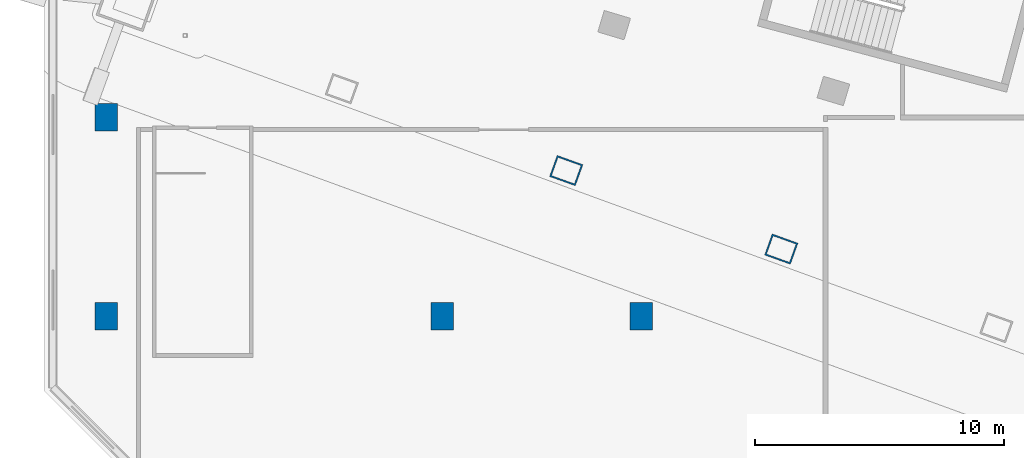
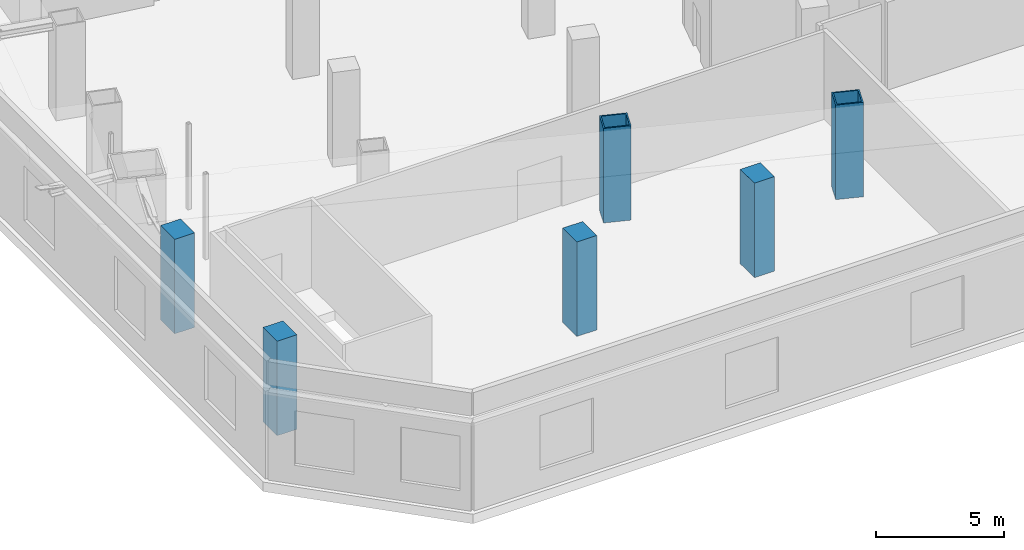
# One storey, part 1 of 19: 6 columns.
"""IFC4 building model written with IfcOpenShell, lengths in metres."""

from ifc_helpers import new_model, si_unit, direction, frame, origin, origin_2d, place, context, subcontext, project, spatial, rectangle, hollow_rectangle, extrude, material, material_profile, profile_set, type_object, element, save


model = new_model("IFC4")

# Units and contexts
model_context = context("Model", 3, precision=1e-05, world=origin(), true_north=direction((0.0, 1.0)))
body_context = subcontext(model_context, "Body", "Model", "MODEL_VIEW")
ifc_project = project(units=[si_unit("LENGTHUNIT", "METRE"), si_unit("AREAUNIT", "SQUARE_METRE"), si_unit("VOLUMEUNIT", "CUBIC_METRE"), si_unit("PLANEANGLEUNIT", "RADIAN"), si_unit("MASSUNIT", "GRAM", prefix="KILO")], contexts=[model_context])

# Site, building, storey
site_placement = place(None, origin())
site = spatial("IfcSite", under=ifc_project, at=site_placement, CompositionType="ELEMENT")
building_placement = place(site_placement, origin())
building = spatial("IfcBuilding", under=site, at=building_placement, Name="Alderwake Tower", CompositionType="ELEMENT")
storey_placement = place(building_placement, frame((0.0, 0.0, 27.5)))
storey = spatial("IfcBuildingStorey", under=building, at=storey_placement, Name="L05", CompositionType="ELEMENT", Elevation=27.5)

# Columns
ifc_material_1 = material(Name="Steel ASTM A572 Grade 50 concrete filled C70/85", Category="concrete")
ifc_material_profile_1 = material_profile(ifc_material_1, hollow_rectangle(XDim=0.89990234375, YDim=1.10009765625, WallThickness=0.06005859375, at=origin_2d()), Name="BOX 1100X900X60")
ifc_profile_set_1 = profile_set([ifc_material_profile_1], Name="Steel ASTM A572 Grade 50 concrete filled C70/85")
column_type_1 = type_object("IfcColumnType", Name="End column Z1", PredefinedType="COLUMN", material=ifc_profile_set_1)
for number, where, z_axis, x_axis, name in (
    (1, (28.983642578125, 21.856689453125, 0.0), (0.0, 0.0, 1.0), (0.338026774049, 0.941136493834, 0.0), "Column R01-C2"),
    (2, (37.6259765625, 18.701904296875, 0.0), (0.0, 0.0, 1.0), (0.338384834858, 0.941007812687, 0.0), "Column R01-C3"),
):
    element("IfcColumn", number, at=place(storey_placement, frame(where, z_axis=z_axis, x_axis=x_axis)), inside=storey, type_object=column_type_1, Name=name, PredefinedType="COLUMN", context=body_context, shape_type="SweptSolid", body=[
        extrude(hollow_rectangle(XDim=0.89990234375, YDim=1.10009765625, WallThickness=0.06005859375, at=origin_2d()), origin(), (0.0, 0.0, 1.0), 4.5),
    ])
ifc_material_2 = material(Name="Concrete C70/85", Category="concrete")
ifc_material_profile_2 = material_profile(ifc_material_2, rectangle(XDim=0.89990234375, YDim=1.10009765625, at=origin_2d()), Name="RC 1100X900")
ifc_profile_set_2 = profile_set([ifc_material_profile_2], Name="Concrete C70/85")
column_type_2 = type_object("IfcColumnType", Name="Podium column", PredefinedType="COLUMN", material=ifc_profile_set_2)
for number, where, z_axis, x_axis, name in (
    (3, (10.5, 16.0, 0.0), (0.0, 0.0, 1.0), (1.0, 0.0, 0.0), "Column XW-YC"),
    (4, (10.5, 24.0, 0.0), (0.0, 0.0, 1.0), (1.0, 0.0, 0.0), "Column XW-YD"),
    (5, (24.0, 16.0, 0.0), (0.0, 0.0, 1.0), (1.0, 0.0, 0.0), "Column X04-YC"),
    (6, (32.0, 16.0, 0.0), (0.0, 0.0, 1.0), (1.0, 0.0, 0.0), "Column X05-YC"),
):
    element("IfcColumn", number, at=place(storey_placement, frame(where, z_axis=z_axis, x_axis=x_axis)), inside=storey, type_object=column_type_2, Name=name, PredefinedType="COLUMN", context=body_context, shape_type="SweptSolid", body=[
        extrude(rectangle(XDim=0.89990234375, YDim=1.10009765625, at=origin_2d()), origin(), (0.0, 0.0, 1.0), 4.5),
    ])

save(model, "model.ifc")
